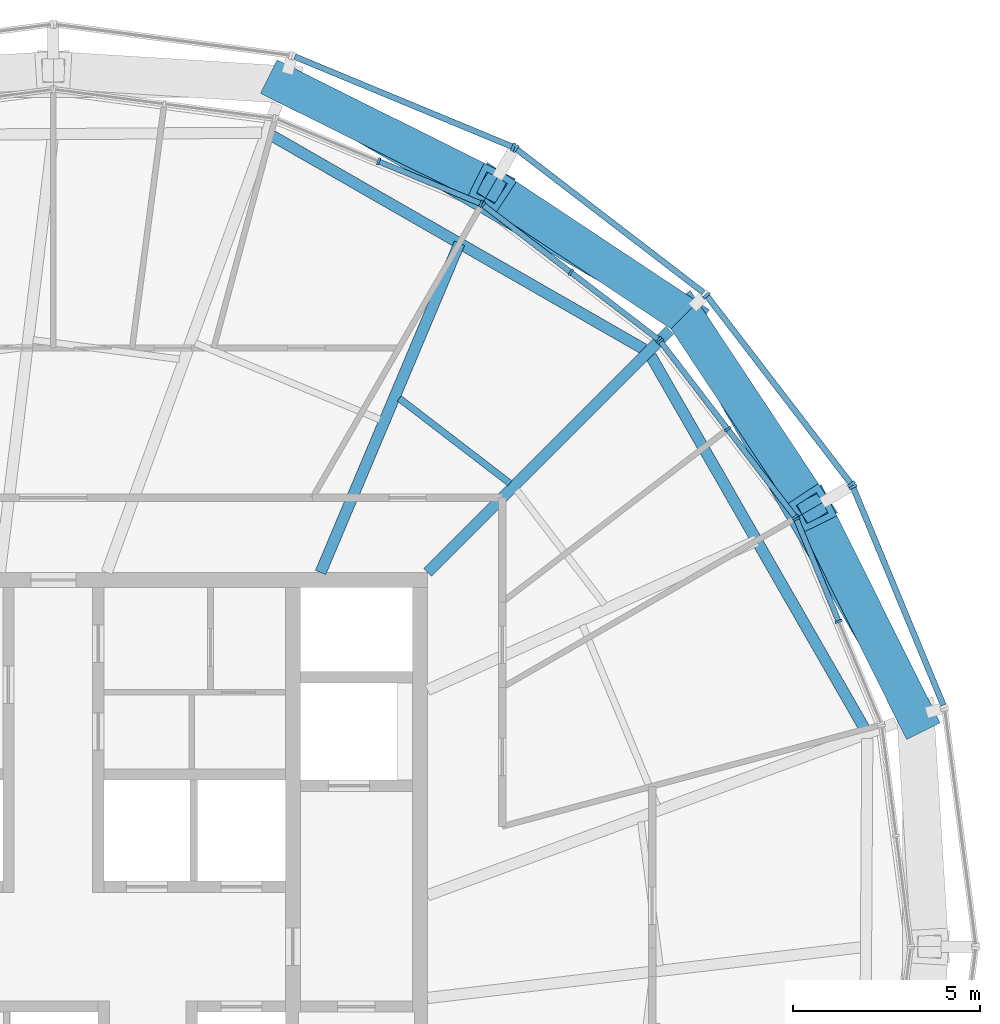
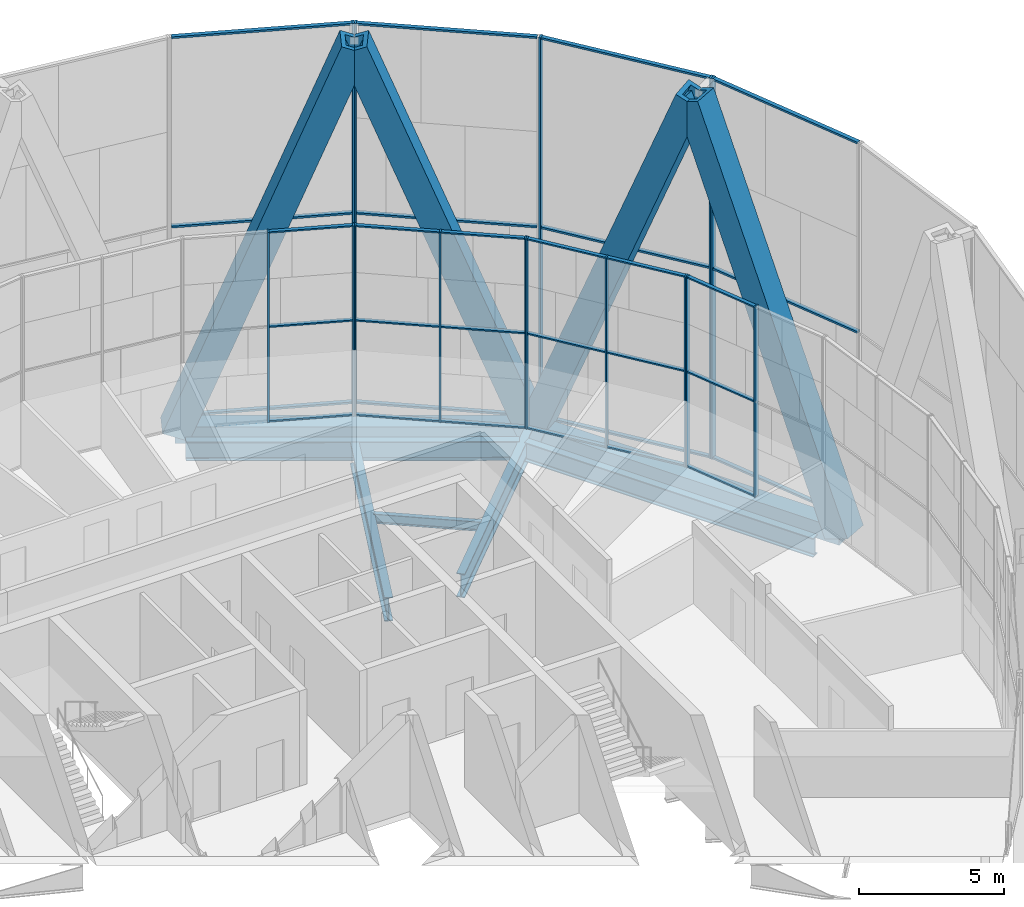
# One storey, part 8 of 23: 49 members, 7 beams, 8 elements without a shape of their own.
"""IFC4 building model written with IfcOpenShell, lengths in metres."""

from ifc_helpers import new_model, si_unit, direction, frame, origin, origin_2d, place, context, subcontext, project, spatial, rectangle, hollow_rectangle, i_section, extrude, material, material_profile, profile_set, type_object, element, aggregate, save


model = new_model("IFC4")

# Units and contexts
model_context = context("Model", 3, precision=1e-05, world=origin(), true_north=direction((0.0, 1.0)))
body_context = subcontext(model_context, "Body", "Model", "MODEL_VIEW")
ifc_project = project(units=[si_unit("LENGTHUNIT", "METRE"), si_unit("AREAUNIT", "SQUARE_METRE"), si_unit("VOLUMEUNIT", "CUBIC_METRE"), si_unit("PLANEANGLEUNIT", "RADIAN"), si_unit("MASSUNIT", "GRAM", prefix="KILO")], contexts=[model_context])

# Site, building, storey
site_placement = place(None, origin())
site = spatial("IfcSite", under=ifc_project, at=site_placement, CompositionType="ELEMENT")
building_placement = place(site_placement, origin())
building = spatial("IfcBuilding", under=site, at=building_placement, Name="Golbaran Civic Tower", CompositionType="ELEMENT")
storey_placement = place(building_placement, frame((0.0, 0.0, 232.0)))
storey = spatial("IfcBuildingStorey", under=building, at=storey_placement, Name="L56", CompositionType="ELEMENT", Elevation=232.0)

# Members
ifc_material_1 = material(Name="Steel S355", Category="steel")
ifc_material_profile_1 = material_profile(ifc_material_1, hollow_rectangle(XDim=1.0, YDim=1.0, WallThickness=0.179931640625, at=origin_2d()), Name="BOX 1000x1000x180")
ifc_profile_set_1 = profile_set([ifc_material_profile_1], Name="Steel S355")
member_type_1 = type_object("IfcMemberType", Name="DIAGRID DIAGONAL BOX 1000x1000x180", PredefinedType="BRACE", material=ifc_profile_set_1)
for number, where, z_axis, x_axis, name in (
    (1, (23.042236328125, 6.174072265625, -0.7099609375), (-0.160737955962, 0.322799502318, 0.932718494947), (-0.895160079621, -0.445744805751, 0.0), "Diagonal D13-00R L56-L60"),
    (2, (16.867919921875, 16.867919921875, -0.7099609375), (-0.300597265987, 0.199193188521, 0.932718262568), (-0.552384659859, -0.833589339874, 0.0), "Diagonal D13-01R L56-L60"),
    (3, (16.867919921875, 16.867919921875, -0.7099609375), (0.199193188521, -0.300597265987, 0.932718262568), (0.833589339874, 0.552384659859, 0.0), "Diagonal D13-01L L56-L60"),
    (4, (6.174072265625, 23.042236328125, -0.7099609375), (0.322799502318, -0.160737955962, 0.932718494947), (0.445744805751, 0.895160079621, 0.0), "Diagonal D13-02L L56-L60"),
):
    element("IfcMember", number, at=place(storey_placement, frame(where, z_axis=z_axis, x_axis=x_axis)), inside=storey, type_object=member_type_1, Name=name, PredefinedType="BRACE", context=body_context, shape_type="SweptSolid", body=[
        extrude(hollow_rectangle(XDim=1.0, YDim=1.0, WallThickness=0.179931640625, at=origin_2d()), origin(), (0.0, 0.0, 1.0), 17.154052734375),
    ])

# Beams
ifc_material_profile_2 = material_profile(ifc_material_1, hollow_rectangle(XDim=0.699951171875, YDim=0.699951171875, WallThickness=0.080078125, at=origin_2d()), Name="BOX 700x700x80")
ifc_profile_set_2 = profile_set([ifc_material_profile_2], Name="Steel S355")
beam_type_1 = type_object("IfcBeamType", Name="DIAGRID RING TIE BOX 700x700x80", PredefinedType="BEAM", material=ifc_profile_set_2)
for number, where, z_axis, x_axis, name in (
    (5, (23.042236328125, 6.174072265625, -0.7099609375), (-0.500013397526, 0.866017668581, 0.0), (-0.866017668581, -0.500013397526, 0.0), "Ring tie 15.00 L56"),
    (6, (16.867919921875, 16.867919921875, -0.7099609375), (-0.866017668581, 0.500013397526, 0.0), (-0.500013397526, -0.866017668581, 0.0), "Ring tie 45.00 L56"),
):
    element("IfcBeam", number, at=place(storey_placement, frame(where, z_axis=z_axis, x_axis=x_axis)), inside=storey, type_object=beam_type_1, Name=name, PredefinedType="BEAM", context=body_context, shape_type="SweptSolid", body=[
        extrude(hollow_rectangle(XDim=0.699951171875, YDim=0.699951171875, WallThickness=0.080078125, at=origin_2d()), origin(), (0.0, 0.0, 1.0), 12.348388671875),
    ])
ifc_material_profile_3 = material_profile(ifc_material_1, i_section(OverallWidth=0.300048828125, OverallDepth=0.800048828125, WebThickness=0.017578125, FlangeThickness=0.032958984375, FilletRadius=0.030029296875, at=origin_2d()), Name="HEB 800")
ifc_profile_set_3 = profile_set([ifc_material_profile_3], Name="Steel S355")
beam_type_2 = type_object("IfcBeamType", Name="EDGE BEAM HEB 800", PredefinedType="BEAM", material=ifc_profile_set_3)
beam_1_placement = place(storey_placement, frame((21.687255859375, 5.813720703125, -0.60009765625), z_axis=(-0.497595320812, 0.867409301717, 0.0), x_axis=(-0.867409301717, -0.497595320812, 0.0)))
element("IfcBeam", 7, at=beam_1_placement, inside=storey, type_object=beam_type_2, Name="Edge beam 15.00 L56", PredefinedType="BEAM", context=body_context, shape_type="SweptSolid", body=[
    extrude(i_section(OverallWidth=0.300048828125, OverallDepth=0.800048828125, WebThickness=0.017578125, FlangeThickness=0.032958984375, FilletRadius=0.030029296875, at=origin_2d()), origin(), (0.0, 0.0, 1.0), 11.494140625),
])
beam_2_placement = place(storey_placement, frame((15.783935546875, 15.9677734375, -0.60009765625), z_axis=(-0.86735383621, 0.49769199593, 0.0), x_axis=(-0.49769199593, -0.86735383621, 0.0)))
element("IfcBeam", 8, at=beam_2_placement, inside=storey, type_object=beam_type_2, Name="Edge beam 45.00 L56", PredefinedType="BEAM", context=body_context, shape_type="SweptSolid", body=[
    extrude(i_section(OverallWidth=0.300048828125, OverallDepth=0.800048828125, WebThickness=0.017578125, FlangeThickness=0.032958984375, FilletRadius=0.030029296875, at=origin_2d()), origin(), (0.0, 0.0, 1.0), 11.489013671875),
])
ifc_material_profile_4 = material_profile(ifc_material_1, i_section(OverallWidth=0.179931640625, OverallDepth=0.39990234375, WebThickness=0.008544921875, FlangeThickness=0.013427734375, FilletRadius=0.02099609375, at=origin_2d()), Name="IPE 400")
ifc_profile_set_4 = profile_set([ifc_material_profile_4], Name="Steel S355")
beam_type_3 = type_object("IfcBeamType", Name="FLOOR INFILL BEAM IPE 400", PredefinedType="BEAM", material=ifc_profile_set_4)
beam_3_placement = place(storey_placement, frame((12.20068359375, 12.384521484375, -0.39990234375), z_axis=(-0.793376318056, 0.608731482633, 0.0), x_axis=(-0.608731482633, -0.793376318056, 0.0)))
element("IfcBeam", 9, at=beam_3_placement, inside=storey, type_object=beam_type_3, Name="Infill beam 52.50 L56", PredefinedType="BEAM", context=body_context, shape_type="SweptSolid", body=[
    extrude(i_section(OverallWidth=0.179931640625, OverallDepth=0.39990234375, WebThickness=0.008544921875, FlangeThickness=0.013427734375, FilletRadius=0.02099609375, at=origin_2d()), origin(), (0.0, 0.0, 1.0), 3.724609375),
])

# Curtain wall, members
ifc_material_2 = material(Name="Aluminium and glass", Category="aluminium")
curtain_wall_type_1 = type_object("IfcCurtainWallType", Name="INNER SKIN CURTAIN WALL EXECUTIVE", PredefinedType="NOTDEFINED", material=ifc_material_2)
curtain_wall_1_placement = place(storey_placement, origin())
curtain_wall_1 = element("IfcCurtainWall", 10, at=curtain_wall_1_placement, inside=storey, type_object=curtain_wall_type_1, Name="Inner skin L56 facet 2 CW2", ObjectType="INNER SKIN", PredefinedType="USERDEFINED")
ifc_material_3 = material(Name="Aluminium", Category="aluminium")
ifc_material_profile_5 = material_profile(ifc_material_3, rectangle(XDim=0.199951171875, YDim=0.06005859375, at=origin_2d()), Name="INNER SKIN CURTAIN WALL EXECUTIVE MULLION")
ifc_profile_set_5 = profile_set([ifc_material_profile_5], Name="Aluminium")
member_type_2 = type_object("IfcMemberType", Name="INNER SKIN CURTAIN WALL EXECUTIVE MULLION", PredefinedType="MULLION", material=ifc_profile_set_5)
member_1_placement = place(storey_placement, frame((20.98779296875, 8.693359375, 0.0), z_axis=(0.0, 0.0, 1.0), x_axis=(-0.923879532511, -0.382683432365, 0.0)))
member_1 = element("IfcMember", 11, at=member_1_placement, type_object=member_type_2, Name="CW2 mullion 2", PredefinedType="MULLION", context=body_context, shape_type="SweptSolid", body=[
    extrude(rectangle(XDim=0.199951171875, YDim=0.06005859375, at=origin_2d()), origin(), (0.0, 0.0, 1.0), 8.0),
])
member_2_placement = place(storey_placement, frame((19.854736328125, 11.4287109375, 0.0), z_axis=(0.0, 0.0, 1.0), x_axis=(-0.923879532511, -0.382683432365, 0.0)))
member_2 = element("IfcMember", 12, at=member_2_placement, type_object=member_type_2, Name="CW2 mullion 3", PredefinedType="MULLION", context=body_context, shape_type="SweptSolid", body=[
    extrude(rectangle(XDim=0.199951171875, YDim=0.06005859375, at=origin_2d()), origin(), (0.0, 0.0, 1.0), 8.0),
])

curtain_wall_2_placement = place(storey_placement, origin())
curtain_wall_2 = element("IfcCurtainWall", 13, at=curtain_wall_2_placement, inside=storey, type_object=curtain_wall_type_1, Name="Inner skin L56 facet 3 CW2", ObjectType="INNER SKIN", PredefinedType="USERDEFINED")
member_3_placement = place(storey_placement, frame((19.824951171875, 11.480224609375, 0.0), z_axis=(0.0, 0.0, 1.0), x_axis=(-0.793353340238, -0.608761429078, 0.0)))
member_3 = element("IfcMember", 14, at=member_3_placement, type_object=member_type_2, Name="CW2 mullion 1", PredefinedType="MULLION", context=body_context, shape_type="SweptSolid", body=[
    extrude(rectangle(XDim=0.199951171875, YDim=0.06005859375, at=origin_2d()), origin(), (0.0, 0.0, 1.0), 8.0),
])
member_4_placement = place(storey_placement, frame((18.022705078125, 13.8291015625, 0.0), z_axis=(0.0, 0.0, 1.0), x_axis=(-0.793353340238, -0.608761429078, 0.0)))
member_4 = element("IfcMember", 15, at=member_4_placement, type_object=member_type_2, Name="CW2 mullion 2", PredefinedType="MULLION", context=body_context, shape_type="SweptSolid", body=[
    extrude(rectangle(XDim=0.199951171875, YDim=0.06005859375, at=origin_2d()), origin(), (0.0, 0.0, 1.0), 8.0),
])
member_5_placement = place(storey_placement, frame((16.22021484375, 16.17822265625, 0.0), z_axis=(0.0, 0.0, 1.0), x_axis=(-0.793353340238, -0.608761429078, 0.0)))
member_5 = element("IfcMember", 16, at=member_5_placement, type_object=member_type_2, Name="CW2 mullion 3", PredefinedType="MULLION", context=body_context, shape_type="SweptSolid", body=[
    extrude(rectangle(XDim=0.199951171875, YDim=0.06005859375, at=origin_2d()), origin(), (0.0, 0.0, 1.0), 8.0),
])

curtain_wall_3_placement = place(storey_placement, origin())
curtain_wall_3 = element("IfcCurtainWall", 17, at=curtain_wall_3_placement, inside=storey, type_object=curtain_wall_type_1, Name="Inner skin L56 facet 4 CW2", ObjectType="INNER SKIN", PredefinedType="USERDEFINED")
member_6_placement = place(storey_placement, frame((16.17822265625, 16.22021484375, 0.0), z_axis=(0.0, 0.0, 1.0), x_axis=(-0.608761429078, -0.793353340238, 0.0)))
member_6 = element("IfcMember", 18, at=member_6_placement, type_object=member_type_2, Name="CW2 mullion 1", PredefinedType="MULLION", context=body_context, shape_type="SweptSolid", body=[
    extrude(rectangle(XDim=0.199951171875, YDim=0.06005859375, at=origin_2d()), origin(), (0.0, 0.0, 1.0), 8.0),
])
member_7_placement = place(storey_placement, frame((13.8291015625, 18.022705078125, 0.0), z_axis=(0.0, 0.0, 1.0), x_axis=(-0.608761429078, -0.793353340238, 0.0)))
member_7 = element("IfcMember", 19, at=member_7_placement, type_object=member_type_2, Name="CW2 mullion 2", PredefinedType="MULLION", context=body_context, shape_type="SweptSolid", body=[
    extrude(rectangle(XDim=0.199951171875, YDim=0.06005859375, at=origin_2d()), origin(), (0.0, 0.0, 1.0), 8.0),
])
member_8_placement = place(storey_placement, frame((11.480224609375, 19.824951171875, 0.0), z_axis=(0.0, 0.0, 1.0), x_axis=(-0.608761429078, -0.793353340238, 0.0)))
member_8 = element("IfcMember", 20, at=member_8_placement, type_object=member_type_2, Name="CW2 mullion 3", PredefinedType="MULLION", context=body_context, shape_type="SweptSolid", body=[
    extrude(rectangle(XDim=0.199951171875, YDim=0.06005859375, at=origin_2d()), origin(), (0.0, 0.0, 1.0), 8.0),
])

curtain_wall_4_placement = place(storey_placement, origin())
curtain_wall_4 = element("IfcCurtainWall", 21, at=curtain_wall_4_placement, inside=storey, type_object=curtain_wall_type_1, Name="Inner skin L56 facet 5 CW2", ObjectType="INNER SKIN", PredefinedType="USERDEFINED")
member_9_placement = place(storey_placement, frame((11.4287109375, 19.854736328125, 0.0), z_axis=(0.0, 0.0, 1.0), x_axis=(-0.382683432365, -0.923879532511, 0.0)))
member_9 = element("IfcMember", 22, at=member_9_placement, type_object=member_type_2, Name="CW2 mullion 1", PredefinedType="MULLION", context=body_context, shape_type="SweptSolid", body=[
    extrude(rectangle(XDim=0.199951171875, YDim=0.06005859375, at=origin_2d()), origin(), (0.0, 0.0, 1.0), 8.0),
])
member_10_placement = place(storey_placement, frame((8.693359375, 20.98779296875, 0.0), z_axis=(0.0, 0.0, 1.0), x_axis=(-0.382683432365, -0.923879532511, 0.0)))
member_10 = element("IfcMember", 23, at=member_10_placement, type_object=member_type_2, Name="CW2 mullion 2", PredefinedType="MULLION", context=body_context, shape_type="SweptSolid", body=[
    extrude(rectangle(XDim=0.199951171875, YDim=0.06005859375, at=origin_2d()), origin(), (0.0, 0.0, 1.0), 8.0),
])

# Member
ifc_material_profile_6 = material_profile(ifc_material_3, rectangle(XDim=0.14990234375, YDim=0.06005859375, at=origin_2d()), Name="INNER SKIN CURTAIN WALL EXECUTIVE TRANSOM")
ifc_profile_set_6 = profile_set([ifc_material_profile_6], Name="Aluminium")
member_type_3 = type_object("IfcMemberType", Name="INNER SKIN CURTAIN WALL EXECUTIVE TRANSOM", PredefinedType="USERDEFINED", material=ifc_profile_set_6)
member_11_placement = place(storey_placement, frame((20.976318359375, 8.72119140625, 0.030029296875), z_axis=(-0.382696199963, 0.923874243896, 0.0), x_axis=(-0.923874243896, -0.382696199963, 0.0)))
member_11 = element("IfcMember", 24, at=member_11_placement, type_object=member_type_3, Name="CW2 transom 2.1", ObjectType="TRANSOM", PredefinedType="USERDEFINED", context=body_context, shape_type="SweptSolid", body=[
    extrude(rectangle(XDim=0.14990234375, YDim=0.06005859375, at=origin_2d()), origin(), (0.0, 0.0, 1.0), 2.900634765625),
])

member_12_placement = place(storey_placement, frame((20.976318359375, 8.72119140625, 4.0), z_axis=(-0.382696199963, 0.923874243896, 0.0), x_axis=(-0.923874243896, -0.382696199963, 0.0)))
member_12 = element("IfcMember", 25, at=member_12_placement, type_object=member_type_3, Name="CW2 transom 2.2", ObjectType="TRANSOM", PredefinedType="USERDEFINED", context=body_context, shape_type="SweptSolid", body=[
    extrude(rectangle(XDim=0.14990234375, YDim=0.06005859375, at=origin_2d()), origin(), (0.0, 0.0, 1.0), 2.900634765625),
])

member_13_placement = place(storey_placement, frame((20.976318359375, 8.72119140625, 7.969970703125), z_axis=(-0.382696199963, 0.923874243896, 0.0), x_axis=(-0.923874243896, -0.382696199963, 0.0)))
member_13 = element("IfcMember", 26, at=member_13_placement, type_object=member_type_3, Name="CW2 transom 2.3", ObjectType="TRANSOM", PredefinedType="USERDEFINED", context=body_context, shape_type="SweptSolid", body=[
    extrude(rectangle(XDim=0.14990234375, YDim=0.06005859375, at=origin_2d()), origin(), (0.0, 0.0, 1.0), 2.900634765625),
])

aggregate(curtain_wall_1, [member_1, member_2, member_11, member_12, member_13])

member_14_placement = place(storey_placement, frame((19.806640625, 11.504150390625, 0.030029296875), z_axis=(-0.608770742521, 0.793346193695, 0.0), x_axis=(-0.793346193695, -0.608770742521, 0.0)))
member_14 = element("IfcMember", 27, at=member_14_placement, type_object=member_type_3, Name="CW2 transom 1.1", ObjectType="TRANSOM", PredefinedType="USERDEFINED", context=body_context, shape_type="SweptSolid", body=[
    extrude(rectangle(XDim=0.14990234375, YDim=0.06005859375, at=origin_2d()), origin(), (0.0, 0.0, 1.0), 2.900634765625),
])

member_15_placement = place(storey_placement, frame((19.806640625, 11.504150390625, 4.0), z_axis=(-0.608770742521, 0.793346193695, 0.0), x_axis=(-0.793346193695, -0.608770742521, 0.0)))
member_15 = element("IfcMember", 28, at=member_15_placement, type_object=member_type_3, Name="CW2 transom 1.2", ObjectType="TRANSOM", PredefinedType="USERDEFINED", context=body_context, shape_type="SweptSolid", body=[
    extrude(rectangle(XDim=0.14990234375, YDim=0.06005859375, at=origin_2d()), origin(), (0.0, 0.0, 1.0), 2.900634765625),
])

member_16_placement = place(storey_placement, frame((19.806640625, 11.504150390625, 7.969970703125), z_axis=(-0.608770742521, 0.793346193695, 0.0), x_axis=(-0.793346193695, -0.608770742521, 0.0)))
member_16 = element("IfcMember", 29, at=member_16_placement, type_object=member_type_3, Name="CW2 transom 1.3", ObjectType="TRANSOM", PredefinedType="USERDEFINED", context=body_context, shape_type="SweptSolid", body=[
    extrude(rectangle(XDim=0.14990234375, YDim=0.06005859375, at=origin_2d()), origin(), (0.0, 0.0, 1.0), 2.900634765625),
])

member_17_placement = place(storey_placement, frame((18.00439453125, 13.85302734375, 0.030029296875), z_axis=(-0.608770742521, 0.793346193695, 0.0), x_axis=(-0.793346193695, -0.608770742521, 0.0)))
member_17 = element("IfcMember", 30, at=member_17_placement, type_object=member_type_3, Name="CW2 transom 2.1", ObjectType="TRANSOM", PredefinedType="USERDEFINED", context=body_context, shape_type="SweptSolid", body=[
    extrude(rectangle(XDim=0.14990234375, YDim=0.06005859375, at=origin_2d()), origin(), (0.0, 0.0, 1.0), 2.900634765625),
])

member_18_placement = place(storey_placement, frame((18.00439453125, 13.85302734375, 4.0), z_axis=(-0.608770742521, 0.793346193695, 0.0), x_axis=(-0.793346193695, -0.608770742521, 0.0)))
member_18 = element("IfcMember", 31, at=member_18_placement, type_object=member_type_3, Name="CW2 transom 2.2", ObjectType="TRANSOM", PredefinedType="USERDEFINED", context=body_context, shape_type="SweptSolid", body=[
    extrude(rectangle(XDim=0.14990234375, YDim=0.06005859375, at=origin_2d()), origin(), (0.0, 0.0, 1.0), 2.900634765625),
])

member_19_placement = place(storey_placement, frame((18.00439453125, 13.85302734375, 7.969970703125), z_axis=(-0.608770742521, 0.793346193695, 0.0), x_axis=(-0.793346193695, -0.608770742521, 0.0)))
member_19 = element("IfcMember", 32, at=member_19_placement, type_object=member_type_3, Name="CW2 transom 2.3", ObjectType="TRANSOM", PredefinedType="USERDEFINED", context=body_context, shape_type="SweptSolid", body=[
    extrude(rectangle(XDim=0.14990234375, YDim=0.06005859375, at=origin_2d()), origin(), (0.0, 0.0, 1.0), 2.900634765625),
])

aggregate(curtain_wall_2, [member_3, member_4, member_5, member_14, member_15, member_16, member_17, member_18, member_19])

member_20_placement = place(storey_placement, frame((16.154296875, 16.238525390625, 0.030029296875), z_axis=(-0.793346193695, 0.608770742521, 0.0), x_axis=(-0.608770742521, -0.793346193695, 0.0)))
member_20 = element("IfcMember", 33, at=member_20_placement, type_object=member_type_3, Name="CW2 transom 1.1", ObjectType="TRANSOM", PredefinedType="USERDEFINED", context=body_context, shape_type="SweptSolid", body=[
    extrude(rectangle(XDim=0.14990234375, YDim=0.06005859375, at=origin_2d()), origin(), (0.0, 0.0, 1.0), 2.900634765625),
])

member_21_placement = place(storey_placement, frame((16.154296875, 16.238525390625, 4.0), z_axis=(-0.793346193695, 0.608770742521, 0.0), x_axis=(-0.608770742521, -0.793346193695, 0.0)))
member_21 = element("IfcMember", 34, at=member_21_placement, type_object=member_type_3, Name="CW2 transom 1.2", ObjectType="TRANSOM", PredefinedType="USERDEFINED", context=body_context, shape_type="SweptSolid", body=[
    extrude(rectangle(XDim=0.14990234375, YDim=0.06005859375, at=origin_2d()), origin(), (0.0, 0.0, 1.0), 2.900634765625),
])

member_22_placement = place(storey_placement, frame((16.154296875, 16.238525390625, 7.969970703125), z_axis=(-0.793346193695, 0.608770742521, 0.0), x_axis=(-0.608770742521, -0.793346193695, 0.0)))
member_22 = element("IfcMember", 35, at=member_22_placement, type_object=member_type_3, Name="CW2 transom 1.3", ObjectType="TRANSOM", PredefinedType="USERDEFINED", context=body_context, shape_type="SweptSolid", body=[
    extrude(rectangle(XDim=0.14990234375, YDim=0.06005859375, at=origin_2d()), origin(), (0.0, 0.0, 1.0), 2.900634765625),
])

member_23_placement = place(storey_placement, frame((13.805419921875, 18.040771484375, 0.030029296875), z_axis=(-0.793346193695, 0.608770742521, 0.0), x_axis=(-0.608770742521, -0.793346193695, 0.0)))
member_23 = element("IfcMember", 36, at=member_23_placement, type_object=member_type_3, Name="CW2 transom 2.1", ObjectType="TRANSOM", PredefinedType="USERDEFINED", context=body_context, shape_type="SweptSolid", body=[
    extrude(rectangle(XDim=0.14990234375, YDim=0.06005859375, at=origin_2d()), origin(), (0.0, 0.0, 1.0), 2.900634765625),
])

member_24_placement = place(storey_placement, frame((13.805419921875, 18.040771484375, 4.0), z_axis=(-0.793346193695, 0.608770742521, 0.0), x_axis=(-0.608770742521, -0.793346193695, 0.0)))
member_24 = element("IfcMember", 37, at=member_24_placement, type_object=member_type_3, Name="CW2 transom 2.2", ObjectType="TRANSOM", PredefinedType="USERDEFINED", context=body_context, shape_type="SweptSolid", body=[
    extrude(rectangle(XDim=0.14990234375, YDim=0.06005859375, at=origin_2d()), origin(), (0.0, 0.0, 1.0), 2.900634765625),
])

member_25_placement = place(storey_placement, frame((13.805419921875, 18.040771484375, 7.969970703125), z_axis=(-0.793346193695, 0.608770742521, 0.0), x_axis=(-0.608770742521, -0.793346193695, 0.0)))
member_25 = element("IfcMember", 38, at=member_25_placement, type_object=member_type_3, Name="CW2 transom 2.3", ObjectType="TRANSOM", PredefinedType="USERDEFINED", context=body_context, shape_type="SweptSolid", body=[
    extrude(rectangle(XDim=0.14990234375, YDim=0.06005859375, at=origin_2d()), origin(), (0.0, 0.0, 1.0), 2.900634765625),
])

aggregate(curtain_wall_3, [member_6, member_7, member_8, member_20, member_21, member_22, member_23, member_24, member_25])

member_26_placement = place(storey_placement, frame((11.401123046875, 19.8662109375, 0.030029296875), z_axis=(-0.923874243896, 0.382696199963, 0.0), x_axis=(-0.382696199963, -0.923874243896, 0.0)))
member_26 = element("IfcMember", 39, at=member_26_placement, type_object=member_type_3, Name="CW2 transom 1.1", ObjectType="TRANSOM", PredefinedType="USERDEFINED", context=body_context, shape_type="SweptSolid", body=[
    extrude(rectangle(XDim=0.14990234375, YDim=0.06005859375, at=origin_2d()), origin(), (0.0, 0.0, 1.0), 2.900634765625),
])

member_27_placement = place(storey_placement, frame((11.401123046875, 19.8662109375, 4.0), z_axis=(-0.923874243896, 0.382696199963, 0.0), x_axis=(-0.382696199963, -0.923874243896, 0.0)))
member_27 = element("IfcMember", 40, at=member_27_placement, type_object=member_type_3, Name="CW2 transom 1.2", ObjectType="TRANSOM", PredefinedType="USERDEFINED", context=body_context, shape_type="SweptSolid", body=[
    extrude(rectangle(XDim=0.14990234375, YDim=0.06005859375, at=origin_2d()), origin(), (0.0, 0.0, 1.0), 2.900634765625),
])

member_28_placement = place(storey_placement, frame((11.401123046875, 19.8662109375, 7.969970703125), z_axis=(-0.923874243896, 0.382696199963, 0.0), x_axis=(-0.382696199963, -0.923874243896, 0.0)))
member_28 = element("IfcMember", 41, at=member_28_placement, type_object=member_type_3, Name="CW2 transom 1.3", ObjectType="TRANSOM", PredefinedType="USERDEFINED", context=body_context, shape_type="SweptSolid", body=[
    extrude(rectangle(XDim=0.14990234375, YDim=0.06005859375, at=origin_2d()), origin(), (0.0, 0.0, 1.0), 2.900634765625),
])

aggregate(curtain_wall_4, [member_9, member_10, member_26, member_27, member_28])

# Curtain wall, member
curtain_wall_type_2 = type_object("IfcCurtainWallType", Name="OUTER SKIN TERRACOTTA SCREEN", PredefinedType="NOTDEFINED", material=ifc_material_2)
curtain_wall_5_placement = place(storey_placement, origin())
curtain_wall_5 = element("IfcCurtainWall", 42, at=curtain_wall_5_placement, inside=storey, type_object=curtain_wall_type_2, Name="Outer skin L56 facet 2 CW3", ObjectType="OUTER SKIN", PredefinedType="USERDEFINED")
ifc_material_profile_7 = material_profile(ifc_material_3, rectangle(XDim=0.219970703125, YDim=0.080078125, at=origin_2d()), Name="OUTER SKIN TERRACOTTA SCREEN MULLION")
ifc_profile_set_7 = profile_set([ifc_material_profile_7], Name="Aluminium")
member_type_4 = type_object("IfcMemberType", Name="OUTER SKIN TERRACOTTA SCREEN MULLION", PredefinedType="MULLION", material=ifc_profile_set_7)
member_29_placement = place(storey_placement, frame((21.3671875, 12.29052734375, -0.7099609375), z_axis=(0.0, 0.0, 1.0), x_axis=(-0.923879532505, -0.382683432381, 0.0)))
member_29 = element("IfcMember", 43, at=member_29_placement, type_object=member_type_4, Name="CW3 mullion 2", PredefinedType="MULLION", context=body_context, shape_type="SweptSolid", body=[
    extrude(rectangle(XDim=0.219970703125, YDim=0.080078125, at=origin_2d()), origin(), (0.0, 0.0, 1.0), 16.0),
])

# Curtain wall, members
curtain_wall_6_placement = place(storey_placement, origin())
curtain_wall_6 = element("IfcCurtainWall", 44, at=curtain_wall_6_placement, inside=storey, type_object=curtain_wall_type_2, Name="Outer skin L56 facet 3 CW3", ObjectType="OUTER SKIN", PredefinedType="USERDEFINED")
member_30_placement = place(storey_placement, frame((21.327392578125, 12.359130859375, -0.7099609375), z_axis=(0.0, 0.0, 1.0), x_axis=(-0.793353340291, -0.608761429009, 0.0)))
member_30 = element("IfcMember", 45, at=member_30_placement, type_object=member_type_4, Name="CW3 mullion 1", PredefinedType="MULLION", context=body_context, shape_type="SweptSolid", body=[
    extrude(rectangle(XDim=0.219970703125, YDim=0.080078125, at=origin_2d()), origin(), (0.0, 0.0, 1.0), 16.0),
])
member_31_placement = place(storey_placement, frame((17.4580078125, 17.402099609375, -0.7099609375), z_axis=(0.0, 0.0, 1.0), x_axis=(-0.793353340291, -0.608761429009, 0.0)))
member_31 = element("IfcMember", 46, at=member_31_placement, type_object=member_type_4, Name="CW3 mullion 2", PredefinedType="MULLION", context=body_context, shape_type="SweptSolid", body=[
    extrude(rectangle(XDim=0.219970703125, YDim=0.080078125, at=origin_2d()), origin(), (0.0, 0.0, 1.0), 16.0),
])

# Curtain wall, member
curtain_wall_7_placement = place(storey_placement, origin())
curtain_wall_7 = element("IfcCurtainWall", 47, at=curtain_wall_7_placement, inside=storey, type_object=curtain_wall_type_2, Name="Outer skin L56 facet 4 CW3", ObjectType="OUTER SKIN", PredefinedType="USERDEFINED")
member_32_placement = place(storey_placement, frame((12.359130859375, 21.327392578125, -0.7099609375), z_axis=(0.0, 0.0, 1.0), x_axis=(-0.608761429009, -0.793353340291, 0.0)))
member_32 = element("IfcMember", 48, at=member_32_placement, type_object=member_type_4, Name="CW3 mullion 2", PredefinedType="MULLION", context=body_context, shape_type="SweptSolid", body=[
    extrude(rectangle(XDim=0.219970703125, YDim=0.080078125, at=origin_2d()), origin(), (0.0, 0.0, 1.0), 16.0),
])

curtain_wall_8_placement = place(storey_placement, origin())
curtain_wall_8 = element("IfcCurtainWall", 49, at=curtain_wall_8_placement, inside=storey, type_object=curtain_wall_type_2, Name="Outer skin L56 facet 5 CW3", ObjectType="OUTER SKIN", PredefinedType="USERDEFINED")
member_33_placement = place(storey_placement, frame((12.29052734375, 21.3671875, -0.7099609375), z_axis=(0.0, 0.0, 1.0), x_axis=(-0.382683432381, -0.923879532505, 0.0)))
member_33 = element("IfcMember", 50, at=member_33_placement, type_object=member_type_4, Name="CW3 mullion 1", PredefinedType="MULLION", context=body_context, shape_type="SweptSolid", body=[
    extrude(rectangle(XDim=0.219970703125, YDim=0.080078125, at=origin_2d()), origin(), (0.0, 0.0, 1.0), 16.0),
])

# Member
ifc_material_profile_8 = material_profile(ifc_material_3, rectangle(XDim=0.159912109375, YDim=0.080078125, at=origin_2d()), Name="OUTER SKIN TERRACOTTA SCREEN TRANSOM")
ifc_profile_set_8 = profile_set([ifc_material_profile_8], Name="Aluminium")
member_type_5 = type_object("IfcMemberType", Name="OUTER SKIN TERRACOTTA SCREEN TRANSOM", PredefinedType="USERDEFINED", material=ifc_profile_set_8)
member_34_placement = place(storey_placement, frame((23.7841796875, 6.455078125, -0.669921875), z_axis=(-0.382650683858, 0.923893096707, 0.0), x_axis=(-0.923893096707, -0.382650683858, 0.0)))
member_34 = element("IfcMember", 51, at=member_34_placement, type_object=member_type_5, Name="CW3 transom 1.1", ObjectType="TRANSOM", PredefinedType="USERDEFINED", context=body_context, shape_type="SweptSolid", body=[
    extrude(rectangle(XDim=0.159912109375, YDim=0.080078125, at=origin_2d()), origin(), (0.0, 0.0, 1.0), 6.2763671875),
])

member_35_placement = place(storey_placement, frame((23.7841796875, 6.455078125, 7.2900390625), z_axis=(-0.382650683858, 0.923893096707, 0.0), x_axis=(-0.923893096707, -0.382650683858, 0.0)))
member_35 = element("IfcMember", 52, at=member_35_placement, type_object=member_type_5, Name="CW3 transom 1.2", ObjectType="TRANSOM", PredefinedType="USERDEFINED", context=body_context, shape_type="SweptSolid", body=[
    extrude(rectangle(XDim=0.159912109375, YDim=0.080078125, at=origin_2d()), origin(), (0.0, 0.0, 1.0), 6.2763671875),
])

member_36_placement = place(storey_placement, frame((23.7841796875, 6.455078125, 15.25), z_axis=(-0.382650683858, 0.923893096707, 0.0), x_axis=(-0.923893096707, -0.382650683858, 0.0)))
member_36 = element("IfcMember", 53, at=member_36_placement, type_object=member_type_5, Name="CW3 transom 1.3", ObjectType="TRANSOM", PredefinedType="USERDEFINED", context=body_context, shape_type="SweptSolid", body=[
    extrude(rectangle(XDim=0.159912109375, YDim=0.080078125, at=origin_2d()), origin(), (0.0, 0.0, 1.0), 6.2763671875),
])

aggregate(curtain_wall_5, [member_29, member_34, member_35, member_36])

member_37_placement = place(storey_placement, frame((21.30322265625, 12.390869140625, -0.669921875), z_axis=(-0.608751605362, 0.793360878144, 0.0), x_axis=(-0.793360878144, -0.608751605362, 0.0)))
member_37 = element("IfcMember", 54, at=member_37_placement, type_object=member_type_5, Name="CW3 transom 1.1", ObjectType="TRANSOM", PredefinedType="USERDEFINED", context=body_context, shape_type="SweptSolid", body=[
    extrude(rectangle(XDim=0.159912109375, YDim=0.080078125, at=origin_2d()), origin(), (0.0, 0.0, 1.0), 6.2763671875),
])

member_38_placement = place(storey_placement, frame((21.30322265625, 12.390869140625, 7.2900390625), z_axis=(-0.608751605362, 0.793360878144, 0.0), x_axis=(-0.793360878144, -0.608751605362, 0.0)))
member_38 = element("IfcMember", 55, at=member_38_placement, type_object=member_type_5, Name="CW3 transom 1.2", ObjectType="TRANSOM", PredefinedType="USERDEFINED", context=body_context, shape_type="SweptSolid", body=[
    extrude(rectangle(XDim=0.159912109375, YDim=0.080078125, at=origin_2d()), origin(), (0.0, 0.0, 1.0), 6.2763671875),
])

member_39_placement = place(storey_placement, frame((21.30322265625, 12.390869140625, 15.25), z_axis=(-0.608751605362, 0.793360878144, 0.0), x_axis=(-0.793360878144, -0.608751605362, 0.0)))
member_39 = element("IfcMember", 56, at=member_39_placement, type_object=member_type_5, Name="CW3 transom 1.3", ObjectType="TRANSOM", PredefinedType="USERDEFINED", context=body_context, shape_type="SweptSolid", body=[
    extrude(rectangle(XDim=0.159912109375, YDim=0.080078125, at=origin_2d()), origin(), (0.0, 0.0, 1.0), 6.2763671875),
])

aggregate(curtain_wall_6, [member_30, member_31, member_37, member_38, member_39])

member_40_placement = place(storey_placement, frame((17.370361328125, 17.482421875, -0.669921875), z_axis=(-0.793360878144, 0.608751605362, 0.0), x_axis=(-0.608751605362, -0.793360878144, 0.0)))
member_40 = element("IfcMember", 57, at=member_40_placement, type_object=member_type_5, Name="CW3 transom 1.1", ObjectType="TRANSOM", PredefinedType="USERDEFINED", context=body_context, shape_type="SweptSolid", body=[
    extrude(rectangle(XDim=0.159912109375, YDim=0.080078125, at=origin_2d()), origin(), (0.0, 0.0, 1.0), 6.2763671875),
])

member_41_placement = place(storey_placement, frame((17.370361328125, 17.482421875, 7.2900390625), z_axis=(-0.793360878144, 0.608751605362, 0.0), x_axis=(-0.608751605362, -0.793360878144, 0.0)))
member_41 = element("IfcMember", 58, at=member_41_placement, type_object=member_type_5, Name="CW3 transom 1.2", ObjectType="TRANSOM", PredefinedType="USERDEFINED", context=body_context, shape_type="SweptSolid", body=[
    extrude(rectangle(XDim=0.159912109375, YDim=0.080078125, at=origin_2d()), origin(), (0.0, 0.0, 1.0), 6.2763671875),
])

member_42_placement = place(storey_placement, frame((17.370361328125, 17.482421875, 15.25), z_axis=(-0.793360878144, 0.608751605362, 0.0), x_axis=(-0.608751605362, -0.793360878144, 0.0)))
member_42 = element("IfcMember", 59, at=member_42_placement, type_object=member_type_5, Name="CW3 transom 1.3", ObjectType="TRANSOM", PredefinedType="USERDEFINED", context=body_context, shape_type="SweptSolid", body=[
    extrude(rectangle(XDim=0.159912109375, YDim=0.080078125, at=origin_2d()), origin(), (0.0, 0.0, 1.0), 6.2763671875),
])

aggregate(curtain_wall_7, [member_32, member_40, member_41, member_42])

member_43_placement = place(storey_placement, frame((12.253662109375, 21.382568359375, -0.669921875), z_axis=(-0.923893096707, 0.382650683858, 0.0), x_axis=(-0.382650683858, -0.923893096707, 0.0)))
member_43 = element("IfcMember", 60, at=member_43_placement, type_object=member_type_5, Name="CW3 transom 1.1", ObjectType="TRANSOM", PredefinedType="USERDEFINED", context=body_context, shape_type="SweptSolid", body=[
    extrude(rectangle(XDim=0.159912109375, YDim=0.080078125, at=origin_2d()), origin(), (0.0, 0.0, 1.0), 6.2763671875),
])

member_44_placement = place(storey_placement, frame((12.253662109375, 21.382568359375, 7.2900390625), z_axis=(-0.923893096707, 0.382650683858, 0.0), x_axis=(-0.382650683858, -0.923893096707, 0.0)))
member_44 = element("IfcMember", 61, at=member_44_placement, type_object=member_type_5, Name="CW3 transom 1.2", ObjectType="TRANSOM", PredefinedType="USERDEFINED", context=body_context, shape_type="SweptSolid", body=[
    extrude(rectangle(XDim=0.159912109375, YDim=0.080078125, at=origin_2d()), origin(), (0.0, 0.0, 1.0), 6.2763671875),
])

member_45_placement = place(storey_placement, frame((12.253662109375, 21.382568359375, 15.25), z_axis=(-0.923893096707, 0.382650683858, 0.0), x_axis=(-0.382650683858, -0.923893096707, 0.0)))
member_45 = element("IfcMember", 62, at=member_45_placement, type_object=member_type_5, Name="CW3 transom 1.3", ObjectType="TRANSOM", PredefinedType="USERDEFINED", context=body_context, shape_type="SweptSolid", body=[
    extrude(rectangle(XDim=0.159912109375, YDim=0.080078125, at=origin_2d()), origin(), (0.0, 0.0, 1.0), 6.2763671875),
])

aggregate(curtain_wall_8, [member_33, member_43, member_44, member_45])

# Beams
ifc_material_profile_9 = material_profile(ifc_material_1, i_section(OverallWidth=0.300048828125, OverallDepth=1.0, WebThickness=0.01904296875, FlangeThickness=0.035888671875, FilletRadius=0.030029296875, at=origin_2d()), Name="HEB 1000")
ifc_profile_set_9 = profile_set([ifc_material_profile_9], Name="Steel S355")
beam_type_4 = type_object("IfcBeamType", Name="RADIAL FLOOR BEAM HEB 1000", PredefinedType="BEAM", material=ifc_profile_set_9)
beam_4_placement = place(storey_placement, frame((10.0, 10.0, -0.7099609375), z_axis=(0.707106781187, 0.707106781187, 0.0), x_axis=(-0.707106781187, 0.707106781187, 0.0)))
element("IfcBeam", 63, at=beam_4_placement, inside=storey, type_object=beam_type_4, Name="Radial beam 45.00 L56", PredefinedType="BEAM", context=body_context, shape_type="SweptSolid", body=[
    extrude(i_section(OverallWidth=0.300048828125, OverallDepth=1.0, WebThickness=0.01904296875, FlangeThickness=0.035888671875, FilletRadius=0.030029296875, at=origin_2d()), origin(), (0.0, 0.0, 1.0), 9.16162109375),
])
ifc_material_profile_10 = material_profile(ifc_material_1, i_section(OverallWidth=0.300048828125, OverallDepth=1.0, WebThickness=0.01904296875, FlangeThickness=0.035888671875, FilletRadius=0.030029296875, at=origin_2d()), Name="HEB 1000")
ifc_profile_set_10 = profile_set([ifc_material_profile_10], Name="Steel S355")
beam_type_5 = type_object("IfcBeamType", Name="SECONDARY FLOOR BEAM HEB 1000", PredefinedType="BEAM", material=ifc_profile_set_10)
beam_5_placement = place(storey_placement, frame((7.142822265625, 10.0, -0.7099609375), z_axis=(0.388551939239, 0.921426823201, 0.0), x_axis=(-0.921426823201, 0.388551939239, 0.0)))
element("IfcBeam", 64, at=beam_5_placement, inside=storey, type_object=beam_type_5, Name="Secondary beam 60.00 L56", PredefinedType="BEAM", context=body_context, shape_type="SweptSolid", body=[
    extrude(i_section(OverallWidth=0.300048828125, OverallDepth=1.0, WebThickness=0.01904296875, FlangeThickness=0.035888671875, FilletRadius=0.030029296875, at=origin_2d()), origin(), (0.0, 0.0, 1.0), 9.547607421875),
])

save(model, "model.ifc")
